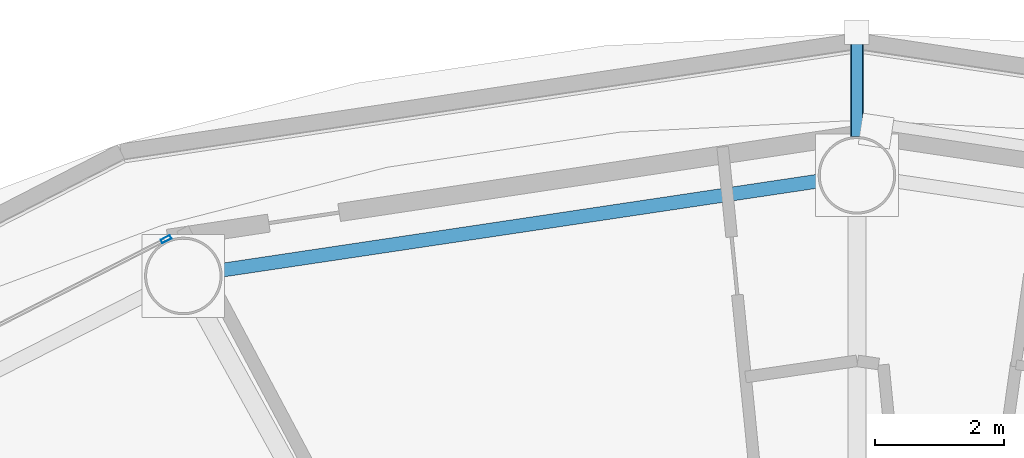
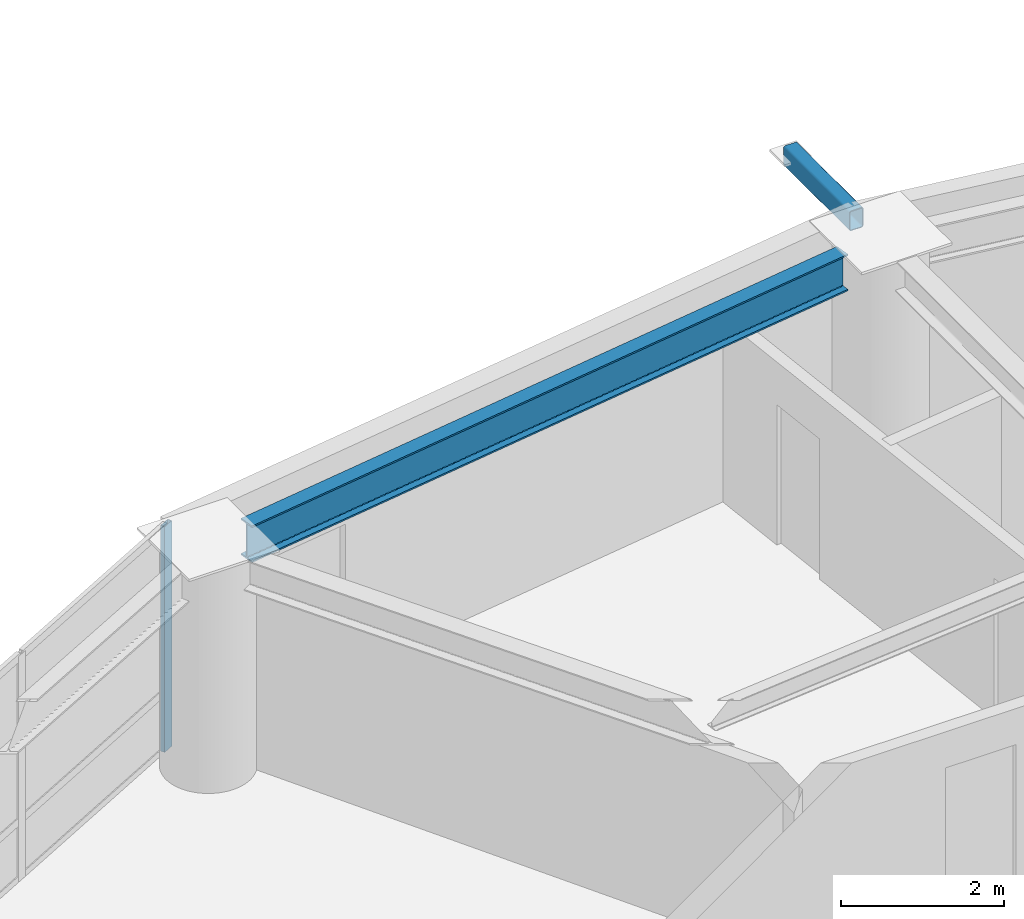
# One storey, part 13 of 27: 2 members, 1 beam, 1 element without a shape of its own.
"""IFC4 building model written with IfcOpenShell, lengths in metres."""

import ifcopenshell
import ifcopenshell.guid

model = None  # the IFC model being written
_history = None  # IfcOwnerHistory: only IFC2X3 demands one
_inside = {}  # id of a spatial element -> (the spatial element, [elements in it])
_under = {}  # id of a project, library or spatial element -> (it, [spatial elements below it])
_declared = {}  # id of a project -> (the project, [libraries it declares])
_typed = {}  # id of a type object -> (the type object, [elements of that type])
_made_of = {}  # id of a material, layer set ... -> (it, [elements and type objects made of it])


def new_model(schema):
    """Start an empty IFC model of exactly this schema.

    Asked for "IFC4X3", IfcOpenShell would pick the latest addendum, in which some entities
    have other attributes; the version numbers below select the first issue.
    IFC2X3 requires an IfcOwnerHistory on every rooted entity: one is made here for all.
    """
    global model, _history
    if schema == "IFC4X3":
        model = ifcopenshell.file(schema_version=(4, 3, 0, 0))
    else:
        model = ifcopenshell.file(schema=schema)
    _inside.clear()
    _under.clear()
    _declared.clear()
    _typed.clear()
    _made_of.clear()
    _history = None
    if model.schema == "IFC2X3":
        org = make("IfcOrganization", Name="unknown")
        user = make(
            "IfcPersonAndOrganization",
            ThePerson=make("IfcPerson", FamilyName="unknown"),
            TheOrganization=org,
        )
        app = make(
            "IfcApplication",
            ApplicationDeveloper=org,
            Version="unknown",
            ApplicationFullName="unknown",
            ApplicationIdentifier="unknown",
        )
        _history = make(
            "IfcOwnerHistory",
            OwningUser=user,
            OwningApplication=app,
            ChangeAction="ADDED",
            CreationDate=0,
        )
    return model


def make(cls, **values):
    """One entity of the class cls with the attributes given. An attribute that is None is left unset."""
    return model.create_entity(
        cls, **{name: value for name, value in values.items() if value is not None}
    )


def rooted(cls, **values):
    """An entity with a GlobalId (a new one), such as an element, a storey or a relation."""
    return make(cls, GlobalId=ifcopenshell.guid.new(), OwnerHistory=_history, **values)


def si_unit(unit_type, name, prefix=None):
    """IfcSIUnit, for example si_unit("LENGTHUNIT", "METRE", prefix="MILLI")."""
    return make("IfcSIUnit", UnitType=unit_type, Prefix=prefix, Name=name)


def assignment(units):
    """IfcUnitAssignment: the units of a project."""
    return None if units is None else make("IfcUnitAssignment", Units=units)


def point(xyz):
    """IfcCartesianPoint."""
    return None if xyz is None else make("IfcCartesianPoint", Coordinates=xyz)


def direction(xyz):
    """IfcDirection."""
    return None if xyz is None else make("IfcDirection", DirectionRatios=xyz)


def frame(location, z_axis=None, x_axis=None):
    """IfcAxis2Placement3D, a coordinate frame: its origin and axes. An axis left out is left unset."""
    return make(
        "IfcAxis2Placement3D",
        Location=point(location),
        Axis=direction(z_axis),
        RefDirection=direction(x_axis),
    )


def frame_2d(location, x_axis=None):
    """IfcAxis2Placement2D, a coordinate frame in the plane: its origin and x axis."""
    return make(
        "IfcAxis2Placement2D", Location=point(location), RefDirection=direction(x_axis)
    )


def origin():
    """The frame at (0, 0, 0) with its axes left unset."""
    return frame((0.0, 0.0, 0.0))


def origin_2d():
    """The frame at (0, 0) in the plane with its x axis left unset."""
    return frame_2d((0.0, 0.0))


def place(relative_to, where):
    """IfcLocalPlacement: puts the frame where relative to a parent placement (None: the world)."""
    return make(
        "IfcLocalPlacement", PlacementRelTo=relative_to, RelativePlacement=where
    )


def context(
    kind, dimensions, precision=None, world=None, true_north=None, identifier=None
):
    """IfcGeometricRepresentationContext, for example the 3D "Model" context."""
    return make(
        "IfcGeometricRepresentationContext",
        ContextIdentifier=identifier,
        ContextType=kind,
        CoordinateSpaceDimension=dimensions,
        Precision=precision,
        WorldCoordinateSystem=world,
        TrueNorth=true_north,
    )


def subcontext(parent, identifier, kind, view, scale=None):
    """IfcGeometricRepresentationSubContext, for example "Body" below "Model"."""
    return make(
        "IfcGeometricRepresentationSubContext",
        ContextIdentifier=identifier,
        ContextType=kind,
        ParentContext=parent,
        TargetScale=scale,
        TargetView=view,
    )


def project(units=None, contexts=None):
    """IfcProject with its units and contexts."""
    return rooted(
        "IfcProject",
        Name="project",
        RepresentationContexts=contexts,
        UnitsInContext=assignment(units),
    )


def spatial(cls, under=None, at=None, **own):
    """A site, building, storey or space (cls), placed at a placement, below another one or the project."""
    s = rooted(cls, ObjectPlacement=at, **own)
    if under is not None:
        _under.setdefault(under.id(), (under, []))[1].append(s)
    return s


def profile(cls, at=None, kind="AREA", **sizes):
    """A parametric profile (cls). Its sizes go by their IFC names, for example OverallWidth=200.0."""
    return make(cls, ProfileType=kind, Position=at, **sizes)


def hollow_rectangle(**sizes):
    """IfcRectangleHollowProfileDef."""
    return profile("IfcRectangleHollowProfileDef", **sizes)


def i_section(**sizes):
    """IfcIShapeProfileDef."""
    return profile("IfcIShapeProfileDef", **sizes)


def extrude(swept, where, along, depth):
    """IfcExtrudedAreaSolid: the profile swept, set in the frame where, extruded along a direction by depth."""
    return make(
        "IfcExtrudedAreaSolid",
        SweptArea=swept,
        Position=where,
        ExtrudedDirection=direction(along),
        Depth=depth,
    )


def shape(context_of_items, identifier, shape_type, items):
    """IfcShapeRepresentation: the items that make up one representation, for example the "Body"."""
    return make(
        "IfcShapeRepresentation",
        ContextOfItems=context_of_items,
        RepresentationIdentifier=identifier,
        RepresentationType=shape_type,
        Items=items,
    )


def material(Name=None, Category=None):
    """IfcMaterial."""
    return make("IfcMaterial", Name=Name, Category=Category)


def layer(
    of_material, thickness, ventilated=None, Name=None, Category=None, Priority=None
):
    """IfcMaterialLayer: one layer of a wall or slab, of a material (None: an air gap)."""
    return make(
        "IfcMaterialLayer",
        Material=of_material,
        LayerThickness=thickness,
        IsVentilated=ventilated,
        Name=Name,
        Category=Category,
        Priority=Priority,
    )


def layer_set(layers, Name=None):
    """IfcMaterialLayerSet."""
    return make("IfcMaterialLayerSet", MaterialLayers=layers, LayerSetName=Name)


def material_profile(
    of_material, cross_section, Name=None, Category=None, Priority=None
):
    """IfcMaterialProfile: a cross section and its material."""
    return make(
        "IfcMaterialProfile",
        Name=Name,
        Material=of_material,
        Profile=cross_section,
        Priority=Priority,
        Category=Category,
    )


def profile_set(profiles, Name=None, composite=None):
    """IfcMaterialProfileSet."""
    return make(
        "IfcMaterialProfileSet",
        Name=Name,
        MaterialProfiles=profiles,
        CompositeProfile=composite,
    )


def made_of(thing, what):
    """Note that an element or type object is made of a material, layer set ...; save() writes the relation."""
    if what is not None:
        _made_of.setdefault(what.id(), (what, []))[1].append(thing)
    return thing


def type_object(cls, material=None, **own):
    """A type object (cls), such as IfcWallType, which elements share."""
    return made_of(rooted(cls, **own), material)


def element(
    cls,
    number,
    at=None,
    inside=None,
    cuts=None,
    type_object=None,
    material=None,
    context=None,
    identifier="Body",
    shape_type=None,
    held_by="IfcProductDefinitionShape",
    body=None,
    shapes=None,
    **own,
):
    """One element of the class cls, such as IfcWall. Its Tag is "e" and its number.

    at: its placement. inside: the storey or other place that contains it. cuts: it is an
    opening in that element (IfcRelVoidsElement). A single representation is given by context,
    identifier, shape_type and body (its items); several are given by shapes. held_by: the class
    of the entity that holds the representations. save() writes the other relations.
    """
    e = rooted(cls, Tag="e%d" % number, ObjectPlacement=at, **own)
    if body is not None:
        shapes = [shape(context, identifier, shape_type, body)]
    if shapes is not None:
        e.Representation = make(held_by, Representations=shapes)
    if inside is not None:
        _inside.setdefault(inside.id(), (inside, []))[1].append(e)
    if cuts is not None:
        rooted(
            "IfcRelVoidsElement", RelatingBuildingElement=cuts, RelatedOpeningElement=e
        )
    if type_object is not None:
        _typed.setdefault(type_object.id(), (type_object, []))[1].append(e)
    return made_of(e, material)


def aggregate(whole, parts):
    """IfcRelAggregates: a whole, such as a stair, and the parts it consists of."""
    return rooted("IfcRelAggregates", RelatingObject=whole, RelatedObjects=parts)


def save(model, path):
    """Write the relations noted so far, then the file.

    IfcRelAggregates (storeys below a building ...), IfcRelContainedInSpatialStructure (elements
    in a storey), IfcRelDefinesByType, IfcRelAssociatesMaterial and IfcRelDeclares: one each for
    every whole, place, type object, material and project.
    """
    for whole, parts in _under.values():
        aggregate(whole, parts)
    for where, things in _inside.values():
        rooted(
            "IfcRelContainedInSpatialStructure",
            RelatedElements=things,
            RelatingStructure=where,
        )
    for kind, things in _typed.values():
        rooted("IfcRelDefinesByType", RelatedObjects=things, RelatingType=kind)
    for what, things in _made_of.values():
        rooted("IfcRelAssociatesMaterial", RelatedObjects=things, RelatingMaterial=what)
    for by, libraries in _declared.values():
        rooted("IfcRelDeclares", RelatingContext=by, RelatedDefinitions=libraries)
    model.write(path)


model = new_model("IFC4")

# Units and contexts
model_context = context("Model", 3, precision=1e-05, world=origin(), true_north=direction((0.0, 1.0)))
body_context = subcontext(model_context, "Body", "Model", "MODEL_VIEW")
ifc_project = project(units=[si_unit("LENGTHUNIT", "METRE"), si_unit("AREAUNIT", "SQUARE_METRE"), si_unit("VOLUMEUNIT", "CUBIC_METRE"), si_unit("PLANEANGLEUNIT", "RADIAN"), si_unit("MASSUNIT", "GRAM", prefix="KILO")], contexts=[model_context])

# Site, building, storey
site_placement = place(None, origin())
site = spatial("IfcSite", under=ifc_project, at=site_placement, CompositionType="ELEMENT")
building_placement = place(site_placement, origin())
building = spatial("IfcBuilding", under=site, at=building_placement, Name="Sarneth Arch Tower", CompositionType="ELEMENT")
storey_placement = place(building_placement, frame((0.0, 0.0, 150.60009765625)))
storey = spatial("IfcBuildingStorey", under=building, at=storey_placement, Name="L37", CompositionType="ELEMENT", Elevation=150.60009765625)

# Beam
ifc_material_1 = material(Name="Steel S355", Category="steel")
ifc_material_profile_1 = material_profile(ifc_material_1, i_section(OverallWidth=0.214111328125, OverallDepth=0.549072265625, WebThickness=0.0146484375, FlangeThickness=0.023681640625, FilletRadius=0.01806640625, at=origin_2d()), Name="W530x138")
ifc_profile_set_1 = profile_set([ifc_material_profile_1], Name="Steel S355")
beam_type = type_object("IfcBeamType", Name="BM-RAD-530A", PredefinedType="BEAM", material=ifc_profile_set_1)
beam_placement = place(storey_placement, frame((47.406494140625, 62.361328125, 3.10546875), z_axis=(-0.98902783755, -0.147729267756, 0.0), x_axis=(0.147729267756, -0.98902783755, 0.0)))
element("IfcBeam", 1, at=beam_placement, inside=storey, type_object=beam_type, Name="L37 Perimeter spandrel beam 05", PredefinedType="BEAM", context=body_context, shape_type="SweptSolid", body=[
    extrude(i_section(OverallWidth=0.214111328125, OverallDepth=0.549072265625, WebThickness=0.0146484375, FlangeThickness=0.023681640625, FilletRadius=0.01806640625, at=origin_2d()), origin(), (0.0, 0.0, 1.0), 9.33740234375),
])

# Curtain wall, member
ifc_material_2 = material(Name="Anodised aluminium Type AA25 and solar-control low-e laminated IGU", Category="aluminium")
ifc_layer = layer(ifc_material_2, 0.169921875)
ifc_layer_set = layer_set([ifc_layer], Name="Anodised aluminium Type AA25 and solar-control low-e laminated IGU")
curtain_wall_type = type_object("IfcCurtainWallType", Name="CW-RES-MID", PredefinedType="NOTDEFINED", material=ifc_layer_set)
curtain_wall_placement = place(storey_placement, origin())
curtain_wall = element("IfcCurtainWall", 2, at=curtain_wall_placement, inside=storey, type_object=curtain_wall_type, Name="L37 Unitised curtain wall facet 06", PredefinedType="NOTDEFINED")
ifc_material_3 = material(Name="Anodised Aluminium 6063-T6", Category="aluminium")
ifc_material_profile_2 = material_profile(ifc_material_3, hollow_rectangle(XDim=0.06005859375, YDim=0.159912109375, WallThickness=0.00390625, at=origin_2d()), Name="AL-MULL-160x60x4")
ifc_profile_set_2 = profile_set([ifc_material_profile_2], Name="Anodised Aluminium 6063-T6")
member_type_1 = type_object("IfcMemberType", Name="CW-MULLION", PredefinedType="MULLION", material=ifc_profile_set_2)
member_1_placement = place(storey_placement, frame((37.310546875, 61.461669921875, 0.0), z_axis=(0.0, 0.0, 1.0), x_axis=(0.456208470329, -0.88987293003, 0.0)))
member_1 = element("IfcMember", 3, at=member_1_placement, type_object=member_type_1, Name="CW-SYS-5 mullion 1", PredefinedType="MULLION", context=body_context, shape_type="SweptSolid", body=[
    extrude(hollow_rectangle(XDim=0.06005859375, YDim=0.159912109375, WallThickness=0.00390625, at=origin_2d()), origin(), (0.0, 0.0, 1.0), 3.3798828125),
])
aggregate(curtain_wall, [member_1])

# Member
ifc_material_4 = material(Name="Steel S355", Category="steel")
ifc_material_profile_3 = material_profile(ifc_material_4, hollow_rectangle(XDim=0.199951171875, YDim=0.300048828125, WallThickness=0.012451171875, InnerFilletRadius=0.018798828125, OuterFilletRadius=0.03125, at=origin_2d()), Name="RHS300x200x12.5")
ifc_profile_set_3 = profile_set([ifc_material_profile_3], Name="Steel S355")
member_type_2 = type_object("IfcMemberType", Name="MEM-CANT-STRUT", PredefinedType="STRUT", material=ifc_profile_set_3)
member_2_placement = place(storey_placement, frame((48.0, 63.050048828125, 3.219970703125), z_axis=(0.0, 1.0, 0.0), x_axis=(-1.0, 0.0, 0.0)))
element("IfcMember", 4, at=member_2_placement, inside=storey, type_object=member_type_2, Name="L37 Balcony cantilever bracket 05", PredefinedType="STRUT", context=body_context, shape_type="SweptSolid", body=[
    extrude(hollow_rectangle(XDim=0.199951171875, YDim=0.300048828125, WallThickness=0.012451171875, InnerFilletRadius=0.018798828125, OuterFilletRadius=0.03125, at=origin_2d()), origin(), (0.0, 0.0, 1.0), 1.61328125),
])

save(model, "model.ifc")
